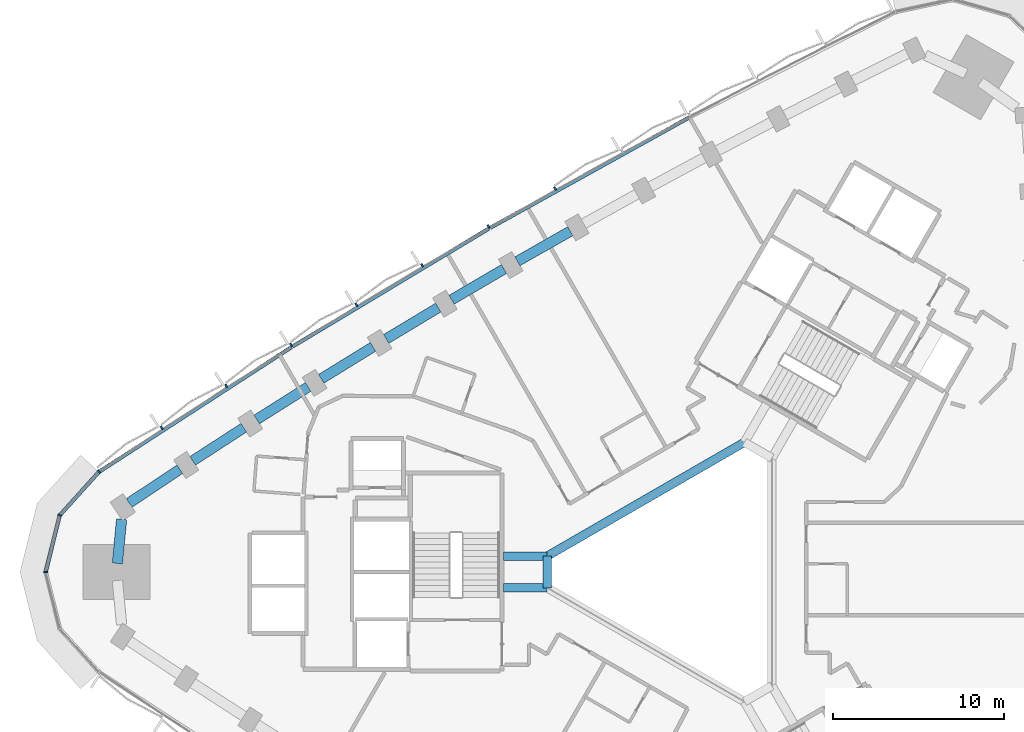
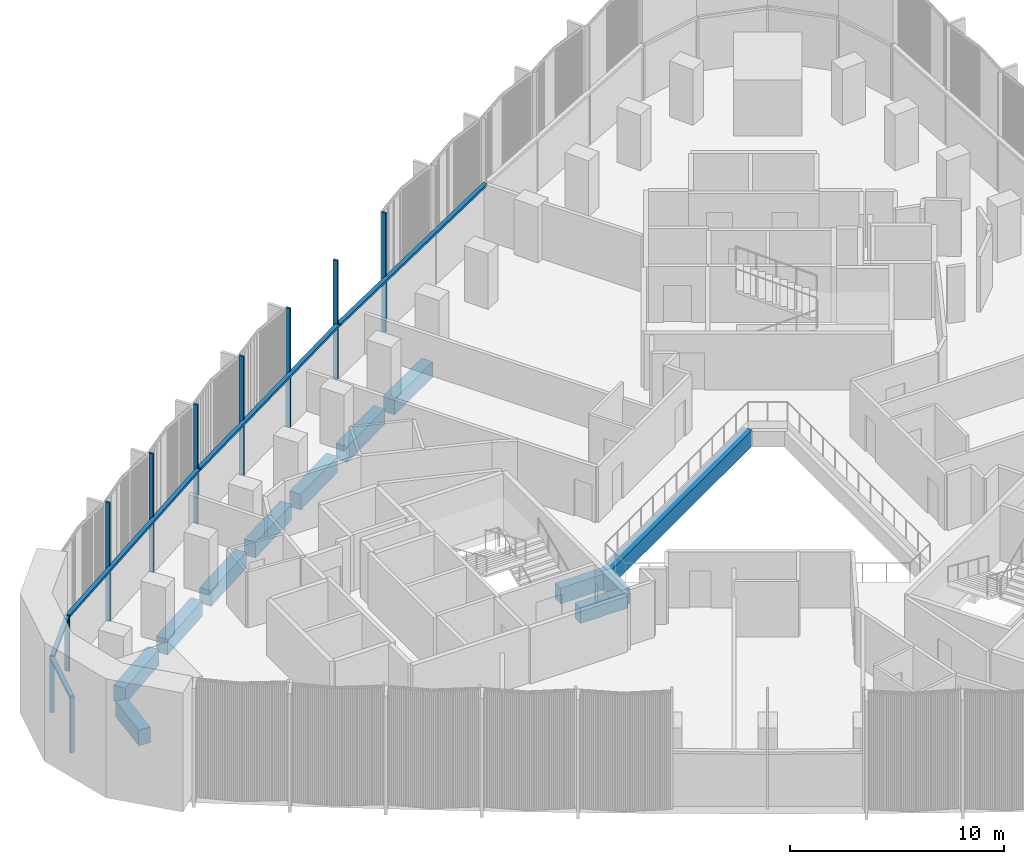
# One storey, part 4 of 15: 15 members, 12 beams, 1 element without a shape of its own.
"""IFC4 building model written with IfcOpenShell, lengths in metres."""

from ifc_helpers import new_model, si_unit, direction, frame, origin, origin_2d, place, context, subcontext, project, spatial, rectangle, extrude, material, material_profile, profile_set, type_object, element, aggregate, save


model = new_model("IFC4")

# Units and contexts
model_context = context("Model", 3, precision=1e-05, world=origin(), true_north=direction((0.0, 1.0)))
body_context = subcontext(model_context, "Body", "Model", "MODEL_VIEW")
ifc_project = project(units=[si_unit("LENGTHUNIT", "METRE"), si_unit("AREAUNIT", "SQUARE_METRE"), si_unit("VOLUMEUNIT", "CUBIC_METRE"), si_unit("PLANEANGLEUNIT", "RADIAN"), si_unit("MASSUNIT", "GRAM", prefix="KILO")], contexts=[model_context])

# Site, building, storey
site_placement = place(None, origin())
site = spatial("IfcSite", under=ifc_project, at=site_placement, CompositionType="ELEMENT")
building_placement = place(site_placement, origin())
building = spatial("IfcBuilding", under=site, at=building_placement, Name="Tamra Quay Hotel Tower", CompositionType="ELEMENT")
storey_placement = place(building_placement, frame((0.0, 0.0, 90.199951171875)))
storey = spatial("IfcBuildingStorey", under=building, at=storey_placement, Name="L21", CompositionType="ELEMENT", Elevation=90.199951171875)

# Beams
ifc_material_1 = material(Name="Concrete M60", Category="concrete")
ifc_material_profile_1 = material_profile(ifc_material_1, rectangle(XDim=0.5, YDim=0.89990234375, at=origin_2d()), Name="ATRIUM EDGE BEAM RC 500x900")
ifc_profile_set_1 = profile_set([ifc_material_profile_1], Name="Concrete M60")
beam_type_1 = type_object("IfcBeamType", Name="ATRIUM EDGE BEAM RC 500x900", PredefinedType="BEAM", material=ifc_profile_set_1)
beam_1_placement = place(storey_placement, frame((-8.199951171875, -0.923828125, -0.875), z_axis=(0.0, 1.0, 0.0), x_axis=(-1.0, 0.0, 0.0)))
element("IfcBeam", 1, at=beam_1_placement, inside=storey, type_object=beam_type_1, Name="BM-AB3-L21", PredefinedType="BEAM", context=body_context, shape_type="SweptSolid", body=[
    extrude(rectangle(XDim=0.5, YDim=0.89990234375, at=origin_2d()), origin(), (0.0, 0.0, 1.0), 1.84765625),
])
beam_2_placement = place(storey_placement, frame((-8.199951171875, 0.923828125, -0.875), z_axis=(0.866029440693, 0.499993007805, 0.0), x_axis=(-0.499993007805, 0.866029440693, 0.0)))
element("IfcBeam", 2, at=beam_2_placement, inside=storey, type_object=beam_type_1, Name="BM-AB4-L21", PredefinedType="BEAM", context=body_context, shape_type="SweptSolid", body=[
    extrude(rectangle(XDim=0.5, YDim=0.89990234375, at=origin_2d()), origin(), (0.0, 0.0, 1.0), 13.279052734375),
])
ifc_material_profile_2 = material_profile(ifc_material_1, rectangle(XDim=0.5, YDim=0.89990234375, at=origin_2d()), Name="ATRIUM TIE BEAM RC 500x900")
ifc_profile_set_2 = profile_set([ifc_material_profile_2], Name="Concrete M60")
beam_type_2 = type_object("IfcBeamType", Name="ATRIUM TIE BEAM RC 500x900", PredefinedType="BEAM", material=ifc_profile_set_2)
for number, where, z_axis, x_axis, name in (
    (3, (-8.199951171875, -0.923828125, -0.875), (-1.0, 0.0, 0.0), (0.0, -1.0, 0.0), "BM-TIE-3-L21"),
    (4, (-8.199951171875, 0.923828125, -0.875), (-1.0, 0.0, 0.0), (0.0, -1.0, 0.0), "BM-TIE-4-L21"),
):
    element("IfcBeam", number, at=place(storey_placement, frame(where, z_axis=z_axis, x_axis=x_axis)), inside=storey, type_object=beam_type_2, Name=name, PredefinedType="BEAM", context=body_context, shape_type="SweptSolid", body=[
        extrude(rectangle(XDim=0.5, YDim=0.89990234375, at=origin_2d()), origin(), (0.0, 0.0, 1.0), 2.562255859375),
    ])

# Curtain wall, members
ifc_material_2 = material(Name="Aluminium 6063 anodised dark grey", Category="aluminium")
curtain_wall_type = type_object("IfcCurtainWallType", Name="CW2 CURTAIN WALL", PredefinedType="NOTDEFINED", material=ifc_material_2)
curtain_wall_placement = place(storey_placement, origin())
curtain_wall = element("IfcCurtainWall", 5, at=curtain_wall_placement, inside=storey, type_object=curtain_wall_type, Name="CW2 north-west face L21", PredefinedType="NOTDEFINED")
ifc_material_profile_3 = material_profile(ifc_material_2, rectangle(XDim=0.219970703125, YDim=0.10009765625, at=origin_2d()), Name="MULLION 100X220")
ifc_profile_set_3 = profile_set([ifc_material_profile_3], Name="Aluminium 6063 anodised dark grey")
member_type_1 = type_object("IfcMemberType", Name="MULLION CW2 Z2", PredefinedType="MULLION", material=ifc_profile_set_3)
member_1_placement = place(storey_placement, frame((-7.739501953125, 22.354248046875, 0.0), z_axis=(0.0, 0.0, 1.0), x_axis=(-0.490074328026, 0.871680648523, 0.0)))
member_1 = element("IfcMember", 6, at=member_1_placement, type_object=member_type_1, Name="CW2 mullion L21.NW.6", PredefinedType="MULLION", context=body_context, shape_type="SweptSolid", body=[
    extrude(rectangle(XDim=0.219970703125, YDim=0.10009765625, at=origin_2d()), origin(), (0.0, 0.0, 1.0), 6.775146484375),
])
member_2_placement = place(storey_placement, frame((-11.62744140625, 20.13916015625, 0.0), z_axis=(0.0, 0.0, 1.0), x_axis=(-0.5, 0.866025403784, 0.0)))
member_2 = element("IfcMember", 7, at=member_2_placement, type_object=member_type_1, Name="CW2 mullion L21.NW.7", PredefinedType="MULLION", context=body_context, shape_type="SweptSolid", body=[
    extrude(rectangle(XDim=0.219970703125, YDim=0.10009765625, at=origin_2d()), origin(), (0.0, 0.0, 1.0), 6.775146484375),
])
member_3_placement = place(storey_placement, frame((-15.489501953125, 17.8798828125, 0.0), z_axis=(0.0, 0.0, 1.0), x_axis=(-0.509860421596, 0.860257142075, 0.0)))
member_3 = element("IfcMember", 8, at=member_3_placement, type_object=member_type_1, Name="CW2 mullion L21.NW.8", PredefinedType="MULLION", context=body_context, shape_type="SweptSolid", body=[
    extrude(rectangle(XDim=0.219970703125, YDim=0.10009765625, at=origin_2d()), origin(), (0.0, 0.0, 1.0), 6.775146484375),
])
member_4_placement = place(storey_placement, frame((-19.32568359375, 15.576416015625, 0.0), z_axis=(0.0, 0.0, 1.0), x_axis=(-0.519650021275, 0.854379222236, 0.0)))
member_4 = element("IfcMember", 9, at=member_4_placement, type_object=member_type_1, Name="CW2 mullion L21.NW.9", PredefinedType="MULLION", context=body_context, shape_type="SweptSolid", body=[
    extrude(rectangle(XDim=0.219970703125, YDim=0.10009765625, at=origin_2d()), origin(), (0.0, 0.0, 1.0), 6.775146484375),
])
member_5_placement = place(storey_placement, frame((-23.13525390625, 13.2294921875, 0.0), z_axis=(0.0, 0.0, 1.0), x_axis=(-0.5293643356, 0.848394601701, 0.0)))
member_5 = element("IfcMember", 10, at=member_5_placement, type_object=member_type_1, Name="CW2 mullion L21.NW.10", PredefinedType="MULLION", context=body_context, shape_type="SweptSolid", body=[
    extrude(rectangle(XDim=0.219970703125, YDim=0.10009765625, at=origin_2d()), origin(), (0.0, 0.0, 1.0), 6.775146484375),
])
member_6_placement = place(storey_placement, frame((-26.91796875, 10.83935546875, 0.0), z_axis=(0.0, 0.0, 1.0), x_axis=(-0.538998516205, 0.842306713453, 0.0)))
member_6 = element("IfcMember", 11, at=member_6_placement, type_object=member_type_1, Name="CW2 mullion L21.NW.11", PredefinedType="MULLION", context=body_context, shape_type="SweptSolid", body=[
    extrude(rectangle(XDim=0.219970703125, YDim=0.10009765625, at=origin_2d()), origin(), (0.0, 0.0, 1.0), 6.775146484375),
])
member_7_placement = place(storey_placement, frame((-30.6728515625, 8.40625, 0.0), z_axis=(0.0, 0.0, 1.0), x_axis=(-0.548547394531, 0.836119462729, 0.0)))
member_7 = element("IfcMember", 12, at=member_7_placement, type_object=member_type_1, Name="CW2 mullion L21.NW.12", PredefinedType="MULLION", context=body_context, shape_type="SweptSolid", body=[
    extrude(rectangle(XDim=0.219970703125, YDim=0.10009765625, at=origin_2d()), origin(), (0.0, 0.0, 1.0), 6.775146484375),
])
member_8_placement = place(storey_placement, frame((-34.338134765625, 5.839599609375, 0.0), z_axis=(0.0, 0.0, 1.0), x_axis=(-0.652886835472, 0.757455464081, 0.0)))
member_8 = element("IfcMember", 13, at=member_8_placement, type_object=member_type_1, Name="CW2 mullion L21.NW.13", PredefinedType="MULLION", context=body_context, shape_type="SweptSolid", body=[
    extrude(rectangle(XDim=0.219970703125, YDim=0.10009765625, at=origin_2d()), origin(), (0.0, 0.0, 1.0), 3.175048828125),
])
member_9_placement = place(storey_placement, frame((-36.623046875, 3.308349609375, 0.0), z_axis=(0.0, 0.0, 1.0), x_axis=(-0.882543846683, 0.47023011248, 0.0)))
member_9 = element("IfcMember", 14, at=member_9_placement, type_object=member_type_1, Name="CW2 mullion L21.NW.14", PredefinedType="MULLION", context=body_context, shape_type="SweptSolid", body=[
    extrude(rectangle(XDim=0.219970703125, YDim=0.10009765625, at=origin_2d()), origin(), (0.0, 0.0, 1.0), 3.175048828125),
])
member_10_placement = place(storey_placement, frame((-37.449462890625, 0.0, 0.0), z_axis=(0.0, 0.0, 1.0), x_axis=(-1.0, 0.0, 0.0)))
member_10 = element("IfcMember", 15, at=member_10_placement, type_object=member_type_1, Name="CW2 mullion L21.NW.15", PredefinedType="MULLION", context=body_context, shape_type="SweptSolid", body=[
    extrude(rectangle(XDim=0.219970703125, YDim=0.10009765625, at=origin_2d()), origin(), (0.0, 0.0, 1.0), 3.175048828125),
])

# Beams
ifc_material_profile_4 = material_profile(ifc_material_1, rectangle(XDim=0.60009765625, YDim=0.89990234375, at=origin_2d()), Name="SPANDREL BEAM RC 600x900")
ifc_profile_set_4 = profile_set([ifc_material_profile_4], Name="Concrete M60")
beam_type_3 = type_object("IfcBeamType", Name="SPANDREL BEAM RC 600x900", PredefinedType="SPANDREL", material=ifc_profile_set_4)
beam_3_placement = place(storey_placement, frame((-6.8583984375, 19.868896484375, -0.875), z_axis=(-0.868869699181, -0.495040852704, 0.0), x_axis=(0.495040852704, -0.868869699181, 0.0)))
element("IfcBeam", 16, at=beam_3_placement, inside=storey, type_object=beam_type_3, Name="BM-SP2-019-L21", PredefinedType="SPANDREL", context=body_context, shape_type="SweptSolid", body=[
    extrude(rectangle(XDim=0.60009765625, YDim=0.89990234375, at=origin_2d()), origin(), (0.0, 0.0, 1.0), 3.544921875),
])
for number, where, z_axis, x_axis, name in (
    (17, (-10.718017578125, 17.6640625, -0.875), (-0.863128698129, -0.504984010109, 0.0), (0.504984010109, -0.863128698129, 0.0), "BM-SP2-020-L21"),
    (18, (-14.552001953125, 15.415283203125, -0.875), (-0.857286231776, -0.514840088578, 0.0), (0.514840088578, -0.857286231776, 0.0), "BM-SP2-021-L21"),
):
    element("IfcBeam", number, at=place(storey_placement, frame(where, z_axis=z_axis, x_axis=x_axis)), inside=storey, type_object=beam_type_3, Name=name, PredefinedType="SPANDREL", context=body_context, shape_type="SweptSolid", body=[
        extrude(rectangle(XDim=0.60009765625, YDim=0.89990234375, at=origin_2d()), origin(), (0.0, 0.0, 1.0), 3.544677734375),
    ])
for number, where, z_axis, x_axis, name in (
    (19, (-18.35986328125, 13.122802734375, -0.875), (-0.851393361846, -0.524527733685, 0.0), (0.524527733685, -0.851393361846, 0.0), "BM-SP2-022-L21"),
    (20, (-22.1416015625, 10.787109375, -0.875), (-0.845333394052, -0.534239134566, 0.0), (0.534239134566, -0.845333394052, 0.0), "BM-SP2-023-L21"),
):
    element("IfcBeam", number, at=place(storey_placement, frame(where, z_axis=z_axis, x_axis=x_axis)), inside=storey, type_object=beam_type_3, Name=name, PredefinedType="SPANDREL", context=body_context, shape_type="SweptSolid", body=[
        extrude(rectangle(XDim=0.60009765625, YDim=0.89990234375, at=origin_2d()), origin(), (0.0, 0.0, 1.0), 3.544921875),
    ])
beam_4_placement = place(storey_placement, frame((-25.896240234375, 8.408203125, -0.875), z_axis=(-0.839237385713, -0.543765216266, 0.0), x_axis=(0.543765216266, -0.839237385713, 0.0)))
element("IfcBeam", 21, at=beam_4_placement, inside=storey, type_object=beam_type_3, Name="BM-SP2-024-L21", PredefinedType="SPANDREL", context=body_context, shape_type="SweptSolid", body=[
    extrude(rectangle(XDim=0.60009765625, YDim=0.89990234375, at=origin_2d()), origin(), (0.0, 0.0, 1.0), 3.544677734375),
])
beam_5_placement = place(storey_placement, frame((-29.623779296875, 5.98681640625, -0.875), z_axis=(-0.832981511469, -0.55330082374, 0.0), x_axis=(0.55330082374, -0.832981511469, 0.0)))
element("IfcBeam", 22, at=beam_5_placement, inside=storey, type_object=beam_type_3, Name="BM-SP2-025-L21", PredefinedType="SPANDREL", context=body_context, shape_type="SweptSolid", body=[
    extrude(rectangle(XDim=0.60009765625, YDim=0.89990234375, at=origin_2d()), origin(), (0.0, 0.0, 1.0), 3.544921875),
])
beam_6_placement = place(storey_placement, frame((-33.019287109375, 3.070556640625, -0.875), z_axis=(-0.09550001445, -0.995429428558, 0.0), x_axis=(0.995429428558, -0.09550001445, 0.0)))
element("IfcBeam", 23, at=beam_6_placement, inside=storey, type_object=beam_type_3, Name="BM-SP2-026-L21", PredefinedType="SPANDREL", context=body_context, shape_type="SweptSolid", body=[
    extrude(rectangle(XDim=0.60009765625, YDim=0.89990234375, at=origin_2d()), origin(), (0.0, 0.0, 1.0), 2.58447265625),
])

# Member
ifc_material_profile_5 = material_profile(ifc_material_2, rectangle(XDim=0.219970703125, YDim=0.139892578125, at=origin_2d()), Name="TRANSOM 220X140")
ifc_profile_set_5 = profile_set([ifc_material_profile_5], Name="Aluminium 6063 anodised dark grey")
member_type_2 = type_object("IfcMemberType", Name="TRANSOM CW2 Z2", PredefinedType="USERDEFINED", material=ifc_profile_set_5)
member_11_placement = place(storey_placement, frame((0.1181640625, 26.52978515625, 3.10498046875), z_axis=(-0.874459721019, -0.485098130605, 0.0), x_axis=(0.485098130605, -0.874459721019, 0.0)))
member_11 = element("IfcMember", 24, at=member_11_placement, type_object=member_type_2, Name="CW2 transom L21.NW.4", ObjectType="TRANSOM", PredefinedType="USERDEFINED", context=body_context, shape_type="SweptSolid", body=[
    extrude(rectangle(XDim=0.219970703125, YDim=0.139892578125, at=origin_2d()), origin(), (0.0, 0.0, 1.0), 13.3193359375),
])

member_12_placement = place(storey_placement, frame((-11.615478515625, 20.018798828125, 3.10498046875), z_axis=(-0.857332765871, -0.514762594372, 0.0), x_axis=(0.514762594372, -0.857332765871, 0.0)))
member_12 = element("IfcMember", 25, at=member_12_placement, type_object=member_type_2, Name="CW2 transom L21.NW.7", ObjectType="TRANSOM", PredefinedType="USERDEFINED", context=body_context, shape_type="SweptSolid", body=[
    extrude(rectangle(XDim=0.219970703125, YDim=0.139892578125, at=origin_2d()), origin(), (0.0, 0.0, 1.0), 13.319091796875),
])

member_13_placement = place(storey_placement, frame((-23.119384765625, 13.109619140625, 3.10498046875), z_axis=(-0.8392271939, -0.543780945804, 0.0), x_axis=(0.543780945804, -0.8392271939, 0.0)))
member_13 = element("IfcMember", 26, at=member_13_placement, type_object=member_type_2, Name="CW2 transom L21.NW.10", ObjectType="TRANSOM", PredefinedType="USERDEFINED", context=body_context, shape_type="SweptSolid", body=[
    extrude(rectangle(XDim=0.219970703125, YDim=0.139892578125, at=origin_2d()), origin(), (0.0, 0.0, 1.0), 13.318115234375),
])

member_14_placement = place(storey_placement, frame((-34.37158203125, 5.802490234375, 3.10498046875), z_axis=(-0.670080516261, -0.742288422196, 0.0), x_axis=(0.742288422196, -0.670080516261, 0.0)))
member_14 = element("IfcMember", 27, at=member_14_placement, type_object=member_type_2, Name="CW2 transom L21.NW.13", ObjectType="TRANSOM", PredefinedType="USERDEFINED", context=body_context, shape_type="SweptSolid", body=[
    extrude(rectangle(XDim=0.219970703125, YDim=0.139892578125, at=origin_2d()), origin(), (0.0, 0.0, 1.0), 3.31005859375),
])

member_15_placement = place(storey_placement, frame((-36.63525390625, 3.260009765625, 3.10498046875), z_axis=(-0.242292652285, -0.970203211007, 0.0), x_axis=(0.970203211007, -0.242292652285, 0.0)))
member_15 = element("IfcMember", 28, at=member_15_placement, type_object=member_type_2, Name="CW2 transom L21.NW.14", ObjectType="TRANSOM", PredefinedType="USERDEFINED", context=body_context, shape_type="SweptSolid", body=[
    extrude(rectangle(XDim=0.219970703125, YDim=0.139892578125, at=origin_2d()), origin(), (0.0, 0.0, 1.0), 3.31005859375),
])

aggregate(curtain_wall, [member_11, member_1, member_2, member_12, member_3, member_4, member_5, member_13, member_6, member_7, member_8, member_14, member_9, member_15, member_10])

save(model, "model.ifc")
